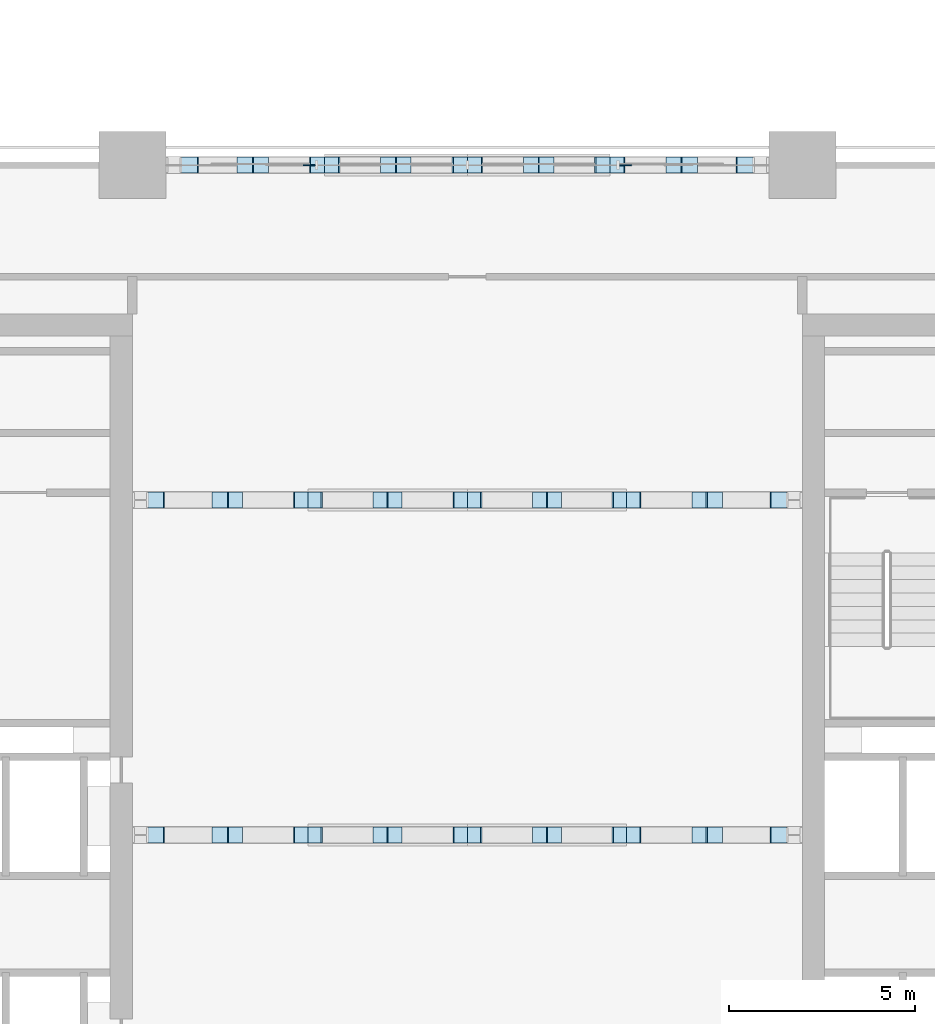
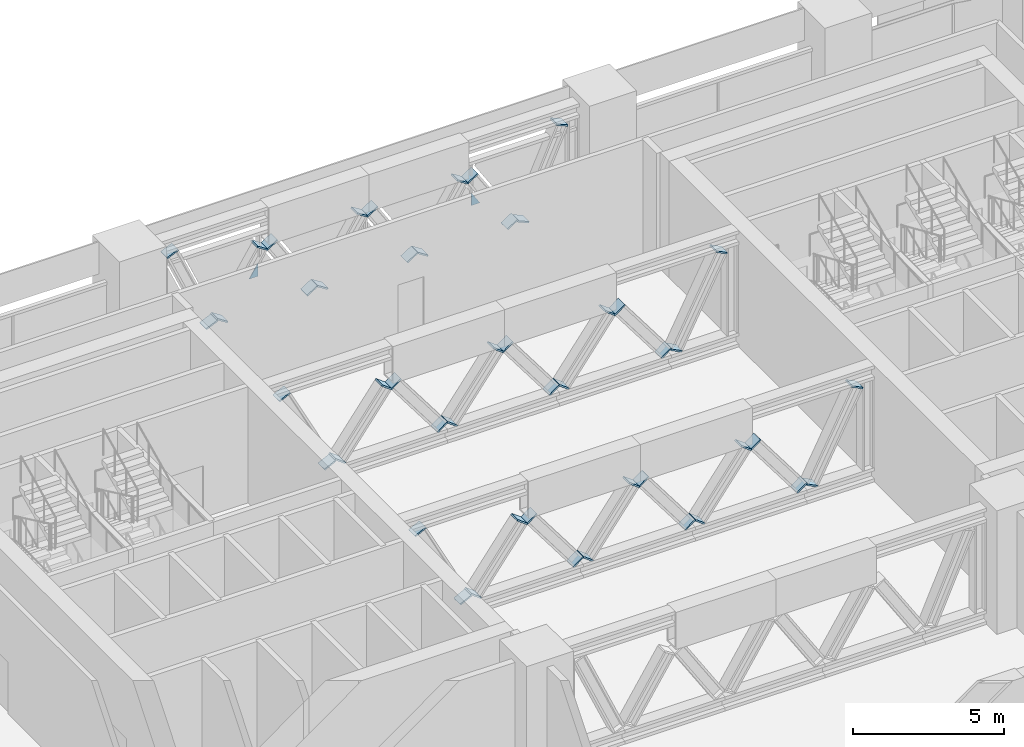
# One storey, part 20 of 35: 50 plates, 1 element without a shape of its own.
"""IFC4 building model written with IfcOpenShell, lengths in metres."""

from ifc_helpers import new_model, si_unit, direction, frame, origin, origin_2d, place, context, subcontext, project, spatial, polyline, rectangle, outline, extrude, material, layer, layer_set, type_object, element, aggregate, save


model = new_model("IFC4")

# Units and contexts
model_context = context("Model", 3, precision=1e-05, world=origin(), true_north=direction((0.0, 1.0)))
body_context = subcontext(model_context, "Body", "Model", "MODEL_VIEW")
ifc_project = project(units=[si_unit("LENGTHUNIT", "METRE"), si_unit("AREAUNIT", "SQUARE_METRE"), si_unit("VOLUMEUNIT", "CUBIC_METRE"), si_unit("PLANEANGLEUNIT", "RADIAN"), si_unit("MASSUNIT", "GRAM", prefix="KILO")], contexts=[model_context])

# Site, building, storey
site_placement = place(None, origin())
site = spatial("IfcSite", under=ifc_project, at=site_placement, CompositionType="ELEMENT")
building_placement = place(site_placement, origin())
building = spatial("IfcBuilding", under=site, at=building_placement, Name="Tessera Arch", CompositionType="ELEMENT")
storey_placement = place(building_placement, frame((0.0, 0.0, 26.0)))
storey = spatial("IfcBuildingStorey", under=building, at=storey_placement, Name="L04", CompositionType="ELEMENT", Elevation=26.0)

# Curtain wall, plates
ifc_material_1 = material(Name="CW4 curtain wall")
curtain_wall_type = type_object("IfcCurtainWallType", Name="CW4 curtain wall", PredefinedType="NOTDEFINED", material=ifc_material_1)
curtain_wall_placement = place(storey_placement, origin())
curtain_wall = element("IfcCurtainWall", 1, at=curtain_wall_placement, inside=storey, type_object=curtain_wall_type, Name="CW4 curtain wall N54.0/2 L04", PredefinedType="NOTDEFINED")
ifc_material_2 = material(Name="Clear low-e glass", Category="glass")
ifc_layer_1 = layer(ifc_material_2, 0.028076171875)
ifc_layer_set_1 = layer_set([ifc_layer_1], Name="CW4 glass panel")
plate_type_1 = type_object("IfcPlateType", Name="CW4 glass panel", PredefinedType="CURTAIN_PANEL", material=ifc_layer_set_1)
plate_1_placement = place(storey_placement, frame((31.090087890625, 54.013916015625, 1.85009765625), z_axis=(0.0, 1.0, 0.0), x_axis=(0.0, 0.0, 1.0)))
plate_1 = element("IfcPlate", 2, at=plate_1_placement, type_object=plate_type_1, Name="CW4 fitted glass panel N54.0/2 6", PredefinedType="CURTAIN_PANEL", context=body_context, shape_type="SweptSolid", body=[
    extrude(outline(polyline([(0.0, 0.0), (0.507080078125, 0.0), (0.0, 0.32373046875), (0.0, 0.0)])), origin(), (0.0, 0.0, -1.0), 0.028076171875),
])
plate_2_placement = place(storey_placement, frame((22.909912109375, 54.013916015625, 1.85009765625), z_axis=(0.0, 1.0, 0.0), x_axis=(-1.0, 0.0, 0.0)))
plate_2 = element("IfcPlate", 3, at=plate_2_placement, type_object=plate_type_1, Name="CW4 fitted glass panel N54.0/2 22", PredefinedType="CURTAIN_PANEL", context=body_context, shape_type="SweptSolid", body=[
    extrude(outline(polyline([(0.0, 0.0), (0.32373046875, 0.0), (0.0, 0.507080078125), (0.0, 0.0)])), origin(), (0.0, 0.0, -1.0), 0.028076171875),
])
aggregate(curtain_wall, [plate_1, plate_2])

# Plates
ifc_material_3 = material(Name="Steel A572 Gr50", Category="steel")
ifc_layer_2 = layer(ifc_material_3, 0.06005859375)
ifc_layer_set_2 = layer_set([ifc_layer_2], Name="End plate W14x426")
plate_type_2 = type_object("IfcPlateType", Name="End plate W14x426", PredefinedType="SHEET", material=ifc_layer_set_2)
for number, where, z_axis, x_axis, name in (
    (4, (18.6259765625, 36.0, 4.06005859375), (0.458539552628, 0.0, -0.888674000225), (0.0, 1.0, 0.0), "End plate Transfer truss diagonal 1 end 1"),
    (5, (20.356689453125, 36.0, 0.693359375), (0.455325937049, 0.0, -0.890324823337), (0.0, 1.0, 0.0), "End plate Transfer truss diagonal 1 end 2"),
    (6, (20.740234375, 36.0, 0.677734375), (0.598045411108, 0.0, 0.801462217608), (0.0, 1.0, 0.0), "End plate Transfer truss diagonal 2 end 1"),
):
    element("IfcPlate", number, at=place(storey_placement, frame(where, z_axis=z_axis, x_axis=x_axis)), inside=storey, type_object=plate_type_2, Name=name, PredefinedType="SHEET", context=body_context, shape_type="SweptSolid", body=[
        extrude(rectangle(XDim=0.424072265625, YDim=0.47412109375, at=origin_2d()), origin(), (0.0, 0.0, 1.0), 0.06005859375),
    ])
for number, where, z_axis, x_axis, name in (
    (7, (22.516845703125, 36.0, 3.043212890625), (0.6, 0.0, 0.8), (0.0, 1.0, 0.0), "End plate Transfer truss diagonal 2 end 2"),
    (8, (22.881591796875, 36.0, 3.091064453125), (0.6, 0.0, -0.8), (0.0, 1.0, 0.0), "End plate Transfer truss diagonal 3 end 1"),
):
    element("IfcPlate", number, at=place(storey_placement, frame(where, z_axis=z_axis, x_axis=x_axis)), inside=storey, type_object=plate_type_2, Name=name, PredefinedType="SHEET", context=body_context, shape_type="SweptSolid", body=[
        extrude(rectangle(XDim=0.424072265625, YDim=0.47412109375, at=origin_2d()), origin(), (0.0, 0.0, 1.0), 0.059814453125),
    ])
for number, where, z_axis, x_axis, name in (
    (9, (24.658203125, 36.0, 0.725830078125), (0.600649152784, 0.0, -0.799512723638), (0.0, 1.0, 0.0), "End plate Transfer truss diagonal 3 end 2"),
    (10, (25.02294921875, 36.0, 0.677734375), (0.600649152784, 0.0, 0.799512723638), (0.0, 1.0, 0.0), "End plate Transfer truss diagonal 4 end 1"),
    (11, (26.799560546875, 36.0, 3.043212890625), (0.602602666336, 0.0, 0.798041368931), (0.0, 1.0, 0.0), "End plate Transfer truss diagonal 4 end 2"),
    (12, (27.164306640625, 36.0, 3.091064453125), (0.602602666336, 0.0, -0.798041368931), (0.0, 1.0, 0.0), "End plate Transfer truss diagonal 5 end 1"),
    (13, (28.94091796875, 36.0, 0.725830078125), (0.600649152784, 0.0, -0.799512723638), (0.0, 1.0, 0.0), "End plate Transfer truss diagonal 5 end 2"),
    (14, (29.3056640625, 36.0, 0.677734375), (0.600649152784, 0.0, 0.799512723638), (0.0, 1.0, 0.0), "End plate Transfer truss diagonal 6 end 1"),
):
    element("IfcPlate", number, at=place(storey_placement, frame(where, z_axis=z_axis, x_axis=x_axis)), inside=storey, type_object=plate_type_2, Name=name, PredefinedType="SHEET", context=body_context, shape_type="SweptSolid", body=[
        extrude(rectangle(XDim=0.424072265625, YDim=0.47412109375, at=origin_2d()), origin(), (0.0, 0.0, 1.0), 0.06005859375),
    ])
for number, where, z_axis, x_axis, name in (
    (15, (31.08251953125, 36.0, 3.043212890625), (0.6, 0.0, 0.8), (0.0, 1.0, 0.0), "End plate Transfer truss diagonal 6 end 2"),
    (16, (31.447265625, 36.0, 3.091064453125), (0.6, 0.0, -0.8), (0.0, 1.0, 0.0), "End plate Transfer truss diagonal 7 end 1"),
):
    element("IfcPlate", number, at=place(storey_placement, frame(where, z_axis=z_axis, x_axis=x_axis)), inside=storey, type_object=plate_type_2, Name=name, PredefinedType="SHEET", context=body_context, shape_type="SweptSolid", body=[
        extrude(rectangle(XDim=0.424072265625, YDim=0.47412109375, at=origin_2d()), origin(), (0.0, 0.0, 1.0), 0.059814453125),
    ])
for number, where, z_axis, x_axis, name in (
    (17, (33.223876953125, 36.0, 0.725830078125), (0.598045411108, 0.0, -0.801462217608), (0.0, 1.0, 0.0), "End plate Transfer truss diagonal 7 end 2"),
    (18, (33.615966796875, 36.0, 0.639892578125), (0.455325937049, 0.0, 0.890324823337), (0.0, 1.0, 0.0), "End plate Transfer truss diagonal 8 end 1"),
    (19, (35.346435546875, 36.0, 4.006591796875), (0.458539552628, 0.0, 0.888674000225), (0.0, 1.0, 0.0), "End plate Transfer truss diagonal 8 end 2"),
    (20, (18.6259765625, 45.0, 4.06005859375), (0.458539552628, 0.0, -0.888674000225), (0.0, 1.0, 0.0), "End plate Transfer truss diagonal 1 end 1"),
    (21, (20.356689453125, 45.0, 0.693359375), (0.455325937049, 0.0, -0.890324823337), (0.0, 1.0, 0.0), "End plate Transfer truss diagonal 1 end 2"),
    (22, (20.740234375, 45.0, 0.677734375), (0.598045411108, 0.0, 0.801462217608), (0.0, 1.0, 0.0), "End plate Transfer truss diagonal 2 end 1"),
):
    element("IfcPlate", number, at=place(storey_placement, frame(where, z_axis=z_axis, x_axis=x_axis)), inside=storey, type_object=plate_type_2, Name=name, PredefinedType="SHEET", context=body_context, shape_type="SweptSolid", body=[
        extrude(rectangle(XDim=0.424072265625, YDim=0.47412109375, at=origin_2d()), origin(), (0.0, 0.0, 1.0), 0.06005859375),
    ])
for number, where, z_axis, x_axis, name in (
    (23, (22.516845703125, 45.0, 3.043212890625), (0.6, 0.0, 0.8), (0.0, 1.0, 0.0), "End plate Transfer truss diagonal 2 end 2"),
    (24, (22.881591796875, 45.0, 3.091064453125), (0.6, 0.0, -0.8), (0.0, 1.0, 0.0), "End plate Transfer truss diagonal 3 end 1"),
):
    element("IfcPlate", number, at=place(storey_placement, frame(where, z_axis=z_axis, x_axis=x_axis)), inside=storey, type_object=plate_type_2, Name=name, PredefinedType="SHEET", context=body_context, shape_type="SweptSolid", body=[
        extrude(rectangle(XDim=0.424072265625, YDim=0.47412109375, at=origin_2d()), origin(), (0.0, 0.0, 1.0), 0.059814453125),
    ])
for number, where, z_axis, x_axis, name in (
    (25, (24.658203125, 45.0, 0.725830078125), (0.600649152784, 0.0, -0.799512723638), (0.0, 1.0, 0.0), "End plate Transfer truss diagonal 3 end 2"),
    (26, (25.02294921875, 45.0, 0.677734375), (0.600649152784, 0.0, 0.799512723638), (0.0, 1.0, 0.0), "End plate Transfer truss diagonal 4 end 1"),
    (27, (26.799560546875, 45.0, 3.043212890625), (0.602602666336, 0.0, 0.798041368931), (0.0, 1.0, 0.0), "End plate Transfer truss diagonal 4 end 2"),
    (28, (27.164306640625, 45.0, 3.091064453125), (0.602602666336, 0.0, -0.798041368931), (0.0, 1.0, 0.0), "End plate Transfer truss diagonal 5 end 1"),
    (29, (28.94091796875, 45.0, 0.725830078125), (0.600649152784, 0.0, -0.799512723638), (0.0, 1.0, 0.0), "End plate Transfer truss diagonal 5 end 2"),
    (30, (29.3056640625, 45.0, 0.677734375), (0.600649152784, 0.0, 0.799512723638), (0.0, 1.0, 0.0), "End plate Transfer truss diagonal 6 end 1"),
):
    element("IfcPlate", number, at=place(storey_placement, frame(where, z_axis=z_axis, x_axis=x_axis)), inside=storey, type_object=plate_type_2, Name=name, PredefinedType="SHEET", context=body_context, shape_type="SweptSolid", body=[
        extrude(rectangle(XDim=0.424072265625, YDim=0.47412109375, at=origin_2d()), origin(), (0.0, 0.0, 1.0), 0.06005859375),
    ])
for number, where, z_axis, x_axis, name in (
    (31, (31.08251953125, 45.0, 3.043212890625), (0.6, 0.0, 0.8), (0.0, 1.0, 0.0), "End plate Transfer truss diagonal 6 end 2"),
    (32, (31.447265625, 45.0, 3.091064453125), (0.6, 0.0, -0.8), (0.0, 1.0, 0.0), "End plate Transfer truss diagonal 7 end 1"),
):
    element("IfcPlate", number, at=place(storey_placement, frame(where, z_axis=z_axis, x_axis=x_axis)), inside=storey, type_object=plate_type_2, Name=name, PredefinedType="SHEET", context=body_context, shape_type="SweptSolid", body=[
        extrude(rectangle(XDim=0.424072265625, YDim=0.47412109375, at=origin_2d()), origin(), (0.0, 0.0, 1.0), 0.059814453125),
    ])
for number, where, z_axis, x_axis, name in (
    (33, (33.223876953125, 45.0, 0.725830078125), (0.598045411108, 0.0, -0.801462217608), (0.0, 1.0, 0.0), "End plate Transfer truss diagonal 7 end 2"),
    (34, (33.615966796875, 45.0, 0.639892578125), (0.455325937049, 0.0, 0.890324823337), (0.0, 1.0, 0.0), "End plate Transfer truss diagonal 8 end 1"),
    (35, (35.346435546875, 45.0, 4.006591796875), (0.458539552628, 0.0, 0.888674000225), (0.0, 1.0, 0.0), "End plate Transfer truss diagonal 8 end 2"),
    (36, (19.53466796875, 54.0, 4.073974609375), (0.402738614266, 0.0, -0.915315032423), (0.0, 1.0, 0.0), "End plate Transfer truss diagonal 1 end 1"),
    (37, (21.026611328125, 54.0, 0.680908203125), (0.402738614266, 0.0, -0.915315032423), (0.0, 1.0, 0.0), "End plate Transfer truss diagonal 1 end 2"),
    (38, (21.427978515625, 54.0, 0.6611328125), (0.540552159207, 0.0, 0.841310503427), (0.0, 1.0, 0.0), "End plate Transfer truss diagonal 2 end 1"),
    (39, (22.957763671875, 54.0, 3.05712890625), (0.535824439731, 0.0, 0.844329420183), (0.0, 1.0, 0.0), "End plate Transfer truss diagonal 2 end 2"),
    (40, (23.344482421875, 54.0, 3.10791015625), (0.535824439731, 0.0, -0.844329420183), (0.0, 1.0, 0.0), "End plate Transfer truss diagonal 3 end 1"),
    (41, (24.8740234375, 54.0, 0.711669921875), (0.537665941617, 0.0, -0.8431579539), (0.0, 1.0, 0.0), "End plate Transfer truss diagonal 3 end 2"),
    (42, (25.260986328125, 54.0, 0.6611328125), (0.537665941617, 0.0, 0.8431579539), (0.0, 1.0, 0.0), "End plate Transfer truss diagonal 4 end 1"),
    (43, (26.79052734375, 54.0, 3.05712890625), (0.535824439731, 0.0, 0.844329420183), (0.0, 1.0, 0.0), "End plate Transfer truss diagonal 4 end 2"),
    (44, (27.17724609375, 54.0, 3.10791015625), (0.535824439731, 0.0, -0.844329420183), (0.0, 1.0, 0.0), "End plate Transfer truss diagonal 5 end 1"),
    (45, (28.706787109375, 54.0, 0.711669921875), (0.537665941617, 0.0, -0.8431579539), (0.0, 1.0, 0.0), "End plate Transfer truss diagonal 5 end 2"),
    (46, (29.09375, 54.0, 0.6611328125), (0.537665941617, 0.0, 0.8431579539), (0.0, 1.0, 0.0), "End plate Transfer truss diagonal 6 end 1"),
    (47, (30.623291015625, 54.0, 3.05712890625), (0.535824439731, 0.0, 0.844329420183), (0.0, 1.0, 0.0), "End plate Transfer truss diagonal 6 end 2"),
    (48, (31.010009765625, 54.0, 3.10791015625), (0.535824439731, 0.0, -0.844329420183), (0.0, 1.0, 0.0), "End plate Transfer truss diagonal 7 end 1"),
    (49, (32.53955078125, 54.0, 0.711669921875), (0.540552159207, 0.0, -0.841310503427), (0.0, 1.0, 0.0), "End plate Transfer truss diagonal 7 end 2"),
    (50, (32.94921875, 54.0, 0.6259765625), (0.402738614266, 0.0, 0.915315032423), (0.0, 1.0, 0.0), "End plate Transfer truss diagonal 8 end 1"),
    (51, (34.441162109375, 54.0, 4.01904296875), (0.402738614266, 0.0, 0.915315032423), (0.0, 1.0, 0.0), "End plate Transfer truss diagonal 8 end 2"),
):
    element("IfcPlate", number, at=place(storey_placement, frame(where, z_axis=z_axis, x_axis=x_axis)), inside=storey, type_object=plate_type_2, Name=name, PredefinedType="SHEET", context=body_context, shape_type="SweptSolid", body=[
        extrude(rectangle(XDim=0.424072265625, YDim=0.47412109375, at=origin_2d()), origin(), (0.0, 0.0, 1.0), 0.06005859375),
    ])

save(model, "model.ifc")
